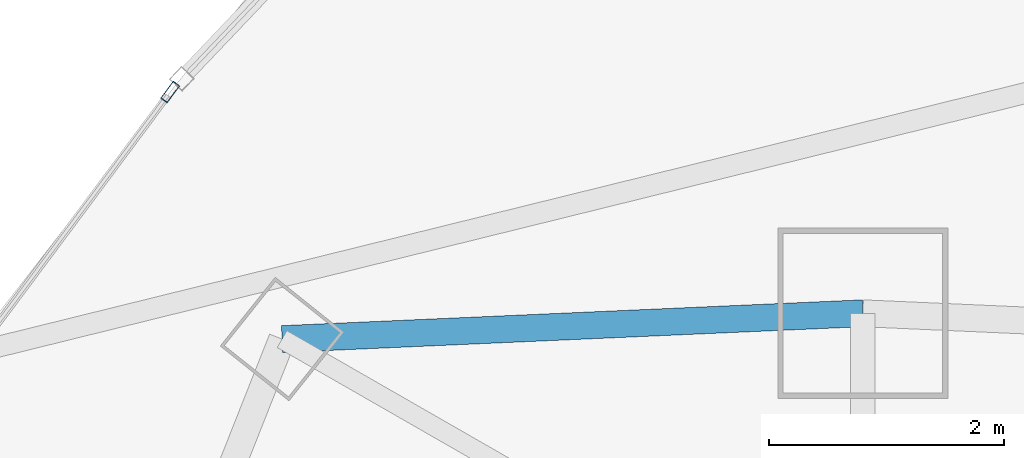
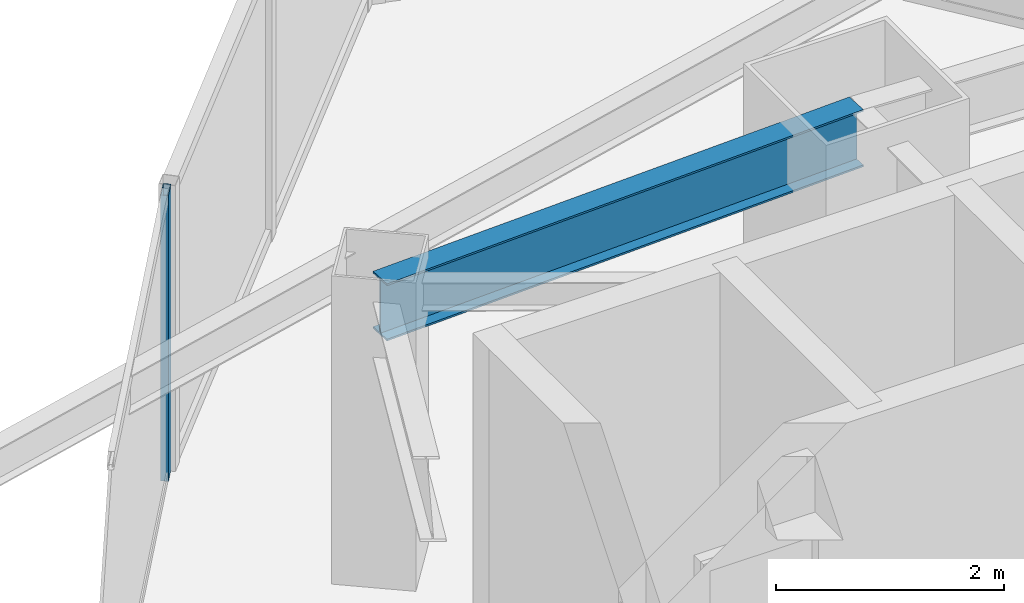
# One storey, part 20 of 30: 1 beam, 1 member, 1 element without a shape of its own.
"""IFC4 building model written with IfcOpenShell, lengths in metres."""

from ifc_helpers import new_model, si_unit, direction, frame, origin, origin_2d, place, context, subcontext, project, spatial, hollow_rectangle, i_section, extrude, material, layer, layer_set, material_profile, profile_set, type_object, element, aggregate, save


model = new_model("IFC4")

# Units and contexts
model_context = context("Model", 3, precision=1e-05, world=origin(), true_north=direction((0.0, 1.0)))
body_context = subcontext(model_context, "Body", "Model", "MODEL_VIEW")
ifc_project = project(units=[si_unit("LENGTHUNIT", "METRE"), si_unit("AREAUNIT", "SQUARE_METRE"), si_unit("VOLUMEUNIT", "CUBIC_METRE"), si_unit("PLANEANGLEUNIT", "RADIAN"), si_unit("MASSUNIT", "GRAM", prefix="KILO")], contexts=[model_context])

# Site, building, storey
site_placement = place(None, origin())
site = spatial("IfcSite", under=ifc_project, at=site_placement, CompositionType="ELEMENT")
building_placement = place(site_placement, origin())
building = spatial("IfcBuilding", under=site, at=building_placement, Name="Orvanel Arch Residences", CompositionType="ELEMENT")
storey_placement = place(building_placement, frame((0.0, 0.0, 139.699951171875)))
storey = spatial("IfcBuildingStorey", under=building, at=storey_placement, Name="L39", CompositionType="ELEMENT", Elevation=139.699951171875)

# Curtain wall, member
ifc_material_1 = material(Name="Bronze-anodised aluminium AA6063-T6", Category="aluminium")
ifc_layer = layer(ifc_material_1, 0.179931640625)
ifc_layer_set = layer_set([ifc_layer], Name="Bronze-anodised aluminium AA6063-T6")
curtain_wall_type = type_object("IfcCurtainWallType", Name="CW3-MID-SYS", PredefinedType="NOTDEFINED", material=ifc_layer_set)
curtain_wall_placement = place(storey_placement, origin())
curtain_wall = element("IfcCurtainWall", 1, at=curtain_wall_placement, inside=storey, type_object=curtain_wall_type, Name="L39 CW3-MID-SYS Unitised Curtain Wall", PredefinedType="NOTDEFINED")
ifc_material_profile_1 = material_profile(ifc_material_1, hollow_rectangle(XDim=0.070068359375, YDim=0.179931640625, WallThickness=0.00439453125, at=origin_2d()), Name="ALU180x70x4.5")
ifc_profile_set_1 = profile_set([ifc_material_profile_1], Name="Bronze-anodised aluminium AA6063-T6")
member_type = type_object("IfcMemberType", Name="MUL-180x70", PredefinedType="MULLION", material=ifc_profile_set_1)
member_placement = place(storey_placement, frame((27.09619140625, 43.283935546875, 0.0), z_axis=(0.0, 0.0, 1.0), x_axis=(0.801813762641, -0.597574003819, 0.0)))
member = element("IfcMember", 2, at=member_placement, type_object=member_type, Name="CW-S3 mullion 1", PredefinedType="MULLION", context=body_context, shape_type="SweptSolid", body=[
    extrude(hollow_rectangle(XDim=0.070068359375, YDim=0.179931640625, WallThickness=0.00439453125, at=origin_2d()), origin(), (0.0, 0.0, 1.0), 3.06005859375),
])
aggregate(curtain_wall, [member])

# Beam
ifc_material_2 = material(Name="Structural steel AS/NZS 3679.1 Grade 300 (300 MPa)", Category="steel")
ifc_material_profile_2 = material_profile(ifc_material_2, i_section(OverallWidth=0.22900390625, OverallDepth=0.612060546875, WebThickness=0.011962890625, FlangeThickness=0.01953125, at=origin_2d()), Name="610UB125")
ifc_profile_set_2 = profile_set([ifc_material_profile_2], Name="Structural steel AS/NZS 3679.1 Grade 300 (300 MPa)")
beam_type = type_object("IfcBeamType", Name="SP-610UB", PredefinedType="SPANDREL", material=ifc_profile_set_2)
beam_placement = place(storey_placement, frame((33.0, 41.39794921875, 2.754150390625), z_axis=(-0.999014049296, -0.044395149614, 0.0), x_axis=(0.044395149614, -0.999014049296, 0.0)))
element("IfcBeam", 3, at=beam_placement, inside=storey, type_object=beam_type, Name="L39 Perimeter Spandrel Beam 15", PredefinedType="SPANDREL", context=body_context, shape_type="SweptSolid", body=[
    extrude(i_section(OverallWidth=0.22900390625, OverallDepth=0.612060546875, WebThickness=0.011962890625, FlangeThickness=0.01953125, at=origin_2d()), origin(), (0.0, 0.0, 1.0), 4.954833984375),
])

save(model, "model.ifc")
